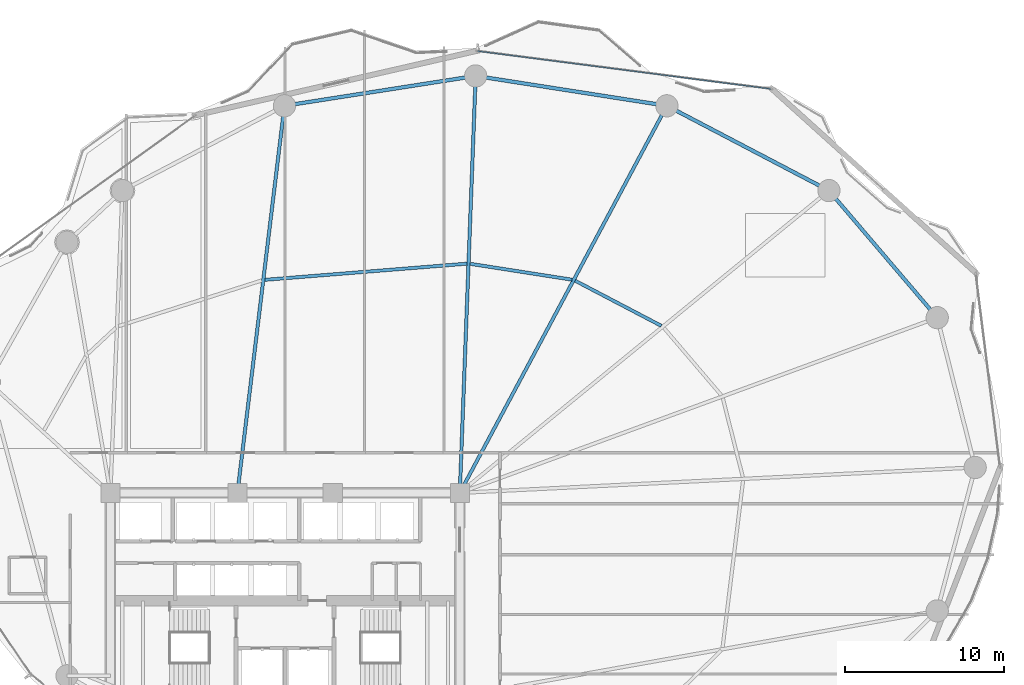
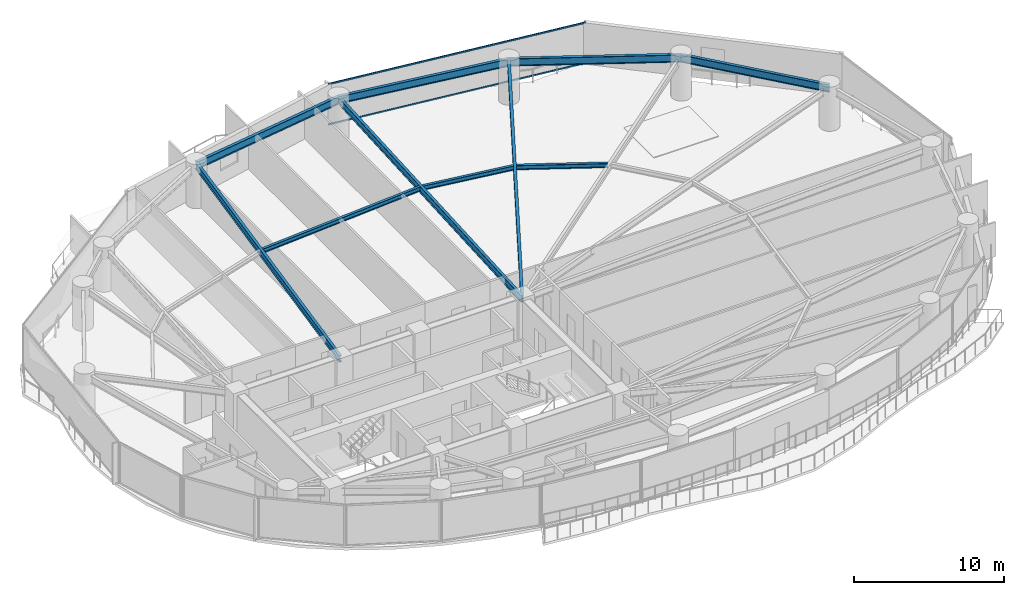
# One storey, part 20 of 30: 10 beams, 2 members, 1 element without a shape of its own.
"""IFC4 building model written with IfcOpenShell, lengths in metres."""

from ifc_helpers import new_model, si_unit, direction, frame, origin, origin_2d, place, context, subcontext, project, spatial, hollow_rectangle, i_section, extrude, material, layer, layer_set, material_profile, profile_set, type_object, element, aggregate, save


model = new_model("IFC4")

# Units and contexts
model_context = context("Model", 3, precision=1e-05, world=origin(), true_north=direction((0.0, 1.0)))
body_context = subcontext(model_context, "Body", "Model", "MODEL_VIEW")
ifc_project = project(units=[si_unit("LENGTHUNIT", "METRE"), si_unit("AREAUNIT", "SQUARE_METRE"), si_unit("VOLUMEUNIT", "CUBIC_METRE"), si_unit("PLANEANGLEUNIT", "RADIAN"), si_unit("MASSUNIT", "GRAM", prefix="KILO")], contexts=[model_context])

# Site, building, storey
site_placement = place(None, origin())
site = spatial("IfcSite", under=ifc_project, at=site_placement, CompositionType="ELEMENT")
building_placement = place(site_placement, origin())
building = spatial("IfcBuilding", under=site, at=building_placement, Name="Kazevale Care Tower and Concert Hall", CompositionType="ELEMENT")
storey_placement = place(building_placement, frame((0.0, 0.0, 70.800048828125)))
storey = spatial("IfcBuildingStorey", under=building, at=storey_placement, Name="L18", CompositionType="ELEMENT", Elevation=70.800048828125)

# Curtain wall, members
ifc_material_1 = material(Name="Aluminium 6063-T6 and Low-E Glass", Category="aluminium")
ifc_layer = layer(ifc_material_1, 0.179931640625)
ifc_layer_set = layer_set([ifc_layer], Name="Aluminium 6063-T6 and Low-E Glass")
curtain_wall_type = type_object("IfcCurtainWallType", Name="Convex Recessed Sunroom Curtain Wall CW-3", PredefinedType="NOTDEFINED", material=ifc_layer_set)
curtain_wall_placement = place(storey_placement, origin())
curtain_wall = element("IfcCurtainWall", 1, at=curtain_wall_placement, inside=storey, type_object=curtain_wall_type, Name="cw:L18:f16", PredefinedType="NOTDEFINED")
ifc_material_2 = material(Name="Aluminium 6063-T6", Category="aluminium")
ifc_material_profile_1 = material_profile(ifc_material_2, hollow_rectangle(XDim=0.074951171875, YDim=0.1201171875, WallThickness=0.00390625, at=origin_2d()), Name="ALU75x120x4")
ifc_profile_set_1 = profile_set([ifc_material_profile_1], Name="Aluminium 6063-T6")
member_type = type_object("IfcMemberType", Name="CW-3 Transom ALU75x120x4", PredefinedType="USERDEFINED", material=ifc_profile_set_1)
member_1_placement = place(storey_placement, frame((45.116455078125, 64.21240234375, 0.037353515625), z_axis=(0.991790531379, -0.12787314756, 0.0), x_axis=(0.12787314756, 0.991790531379, 0.0)))
member_1 = element("IfcMember", 2, at=member_1_placement, type_object=member_type, Name="CW-3 transom 1.1", ObjectType="TRANSOM", PredefinedType="USERDEFINED", context=body_context, shape_type="SweptSolid", body=[
    extrude(hollow_rectangle(XDim=0.074951171875, YDim=0.1201171875, WallThickness=0.00390625, at=origin_2d()), origin(), (0.0, 0.0, 1.0), 18.618896484375),
])
member_2_placement = place(storey_placement, frame((45.116455078125, 64.21240234375, 3.322509765625), z_axis=(0.991790531379, -0.12787314756, 0.0), x_axis=(0.12787314756, 0.991790531379, 0.0)))
member_2 = element("IfcMember", 3, at=member_2_placement, type_object=member_type, Name="CW-3 transom 1.2", ObjectType="TRANSOM", PredefinedType="USERDEFINED", context=body_context, shape_type="SweptSolid", body=[
    extrude(hollow_rectangle(XDim=0.074951171875, YDim=0.1201171875, WallThickness=0.00390625, at=origin_2d()), origin(), (0.0, 0.0, 1.0), 18.618896484375),
])
aggregate(curtain_wall, [member_1, member_2])

# Beams
ifc_material_3 = material(Name="Steel ASTM A572 Gr 50", Category="steel")
ifc_material_profile_2 = material_profile(ifc_material_3, i_section(OverallWidth=0.2119140625, OverallDepth=0.5439453125, WebThickness=0.01318359375, FlangeThickness=0.021240234375, at=origin_2d()), Name="W530x123")
ifc_profile_set_2 = profile_set([ifc_material_profile_2], Name="Steel ASTM A572 Gr 50")
beam_type_1 = type_object("IfcBeamType", Name="Radial Floor Girder W530x123", PredefinedType="BEAM", material=ifc_profile_set_2)
beam_1_placement = place(storey_placement, frame((44.0, 36.39990234375, 3.087890625), z_axis=(0.471788966953, 0.88171150081, 0.0), x_axis=(-0.88171150081, 0.471788966953, 0.0)))
element("IfcBeam", 4, at=beam_1_placement, inside=storey, type_object=beam_type_1, Name="beam:L18:rad:04", PredefinedType="BEAM", context=body_context, shape_type="SweptSolid", body=[
    extrude(i_section(OverallWidth=0.2119140625, OverallDepth=0.5439453125, WebThickness=0.01318359375, FlangeThickness=0.021240234375, at=origin_2d()), origin(), (0.0, 0.0, 1.0), 27.6396484375),
])
beam_2_placement = place(storey_placement, frame((44.0, 36.39990234375, 3.087890625), z_axis=(0.038067625343, 0.999275165258, 0.0), x_axis=(-0.999275165258, 0.038067625343, 0.0)))
element("IfcBeam", 5, at=beam_2_placement, inside=storey, type_object=beam_type_1, Name="beam:L18:rad:05", PredefinedType="BEAM", context=body_context, shape_type="SweptSolid", body=[
    extrude(i_section(OverallWidth=0.2119140625, OverallDepth=0.5439453125, WebThickness=0.01318359375, FlangeThickness=0.021240234375, at=origin_2d()), origin(), (0.0, 0.0, 1.0), 26.26904296875),
])
beam_3_placement = place(storey_placement, frame((30.0, 36.39990234375, 3.087890625), z_axis=(0.120572526662, 0.9927045209, 0.0), x_axis=(-0.9927045209, 0.120572526662, 0.0)))
element("IfcBeam", 6, at=beam_3_placement, inside=storey, type_object=beam_type_1, Name="beam:L18:rad:06", PredefinedType="BEAM", context=body_context, shape_type="SweptSolid", body=[
    extrude(i_section(OverallWidth=0.2119140625, OverallDepth=0.5439453125, WebThickness=0.01318359375, FlangeThickness=0.021240234375, at=origin_2d()), origin(), (0.0, 0.0, 1.0), 24.54931640625),
])
ifc_material_profile_3 = material_profile(ifc_material_3, i_section(OverallWidth=0.22900390625, OverallDepth=0.612060546875, WebThickness=0.011962890625, FlangeThickness=0.01953125, at=origin_2d()), Name="W610x125")
ifc_profile_set_3 = profile_set([ifc_material_profile_3], Name="Steel ASTM A572 Gr 50")
beam_type_2 = type_object("IfcBeamType", Name="Ring Spandrel Beam W610x125", PredefinedType="SPANDREL", material=ifc_profile_set_3)
beam_4_placement = place(storey_placement, frame((74.06005859375, 47.429931640625, 3.053955078125), z_axis=(-0.648756004283, 0.760996482848, 0.0), x_axis=(-0.760996482848, -0.648756004283, 0.0)))
element("IfcBeam", 7, at=beam_4_placement, inside=storey, type_object=beam_type_2, Name="beam:L18:ring:02", PredefinedType="SPANDREL", context=body_context, shape_type="SweptSolid", body=[
    extrude(i_section(OverallWidth=0.22900390625, OverallDepth=0.612060546875, WebThickness=0.011962890625, FlangeThickness=0.01953125, at=origin_2d()), origin(), (0.0, 0.0, 1.0), 10.512451171875),
])
beam_5_placement = place(storey_placement, frame((67.239990234375, 55.429931640625, 3.053955078125), z_axis=(-0.885929466679, 0.463819986708, 0.0), x_axis=(-0.463819986708, -0.885929466679, 0.0)))
element("IfcBeam", 8, at=beam_5_placement, inside=storey, type_object=beam_type_2, Name="beam:L18:ring:03", PredefinedType="SPANDREL", context=body_context, shape_type="SweptSolid", body=[
    extrude(i_section(OverallWidth=0.22900390625, OverallDepth=0.612060546875, WebThickness=0.011962890625, FlangeThickness=0.01953125, at=origin_2d()), origin(), (0.0, 0.0, 1.0), 11.51318359375),
])
for number, where, z_axis, x_axis, name in (
    (9, (57.0400390625, 60.77001953125, 3.053955078125), (-0.988029216561, 0.154266870134, 0.0), (-0.154266870134, -0.988029216561, 0.0), "beam:L18:ring:04"),
    (10, (45.0, 62.64990234375, 3.053955078125), (-0.988029216561, -0.154266870134, 0.0), (0.154266870134, -0.988029216561, 0.0), "beam:L18:ring:05"),
):
    element("IfcBeam", number, at=place(storey_placement, frame(where, z_axis=z_axis, x_axis=x_axis)), inside=storey, type_object=beam_type_2, Name=name, PredefinedType="SPANDREL", context=body_context, shape_type="SweptSolid", body=[
        extrude(i_section(OverallWidth=0.22900390625, OverallDepth=0.612060546875, WebThickness=0.011962890625, FlangeThickness=0.01953125, at=origin_2d()), origin(), (0.0, 0.0, 1.0), 12.18603515625),
    ])
ifc_material_profile_4 = material_profile(ifc_material_3, i_section(OverallWidth=0.205078125, OverallDepth=0.35400390625, WebThickness=0.009521484375, FlangeThickness=0.016845703125, at=origin_2d()), Name="W360x79")
ifc_profile_set_4 = profile_set([ifc_material_profile_4], Name="Steel ASTM A572 Gr 50")
beam_type_3 = type_object("IfcBeamType", Name="Secondary Floor Joist W360x79", PredefinedType="JOIST", material=ifc_profile_set_4)
beam_6_placement = place(storey_placement, frame((56.68896484375, 46.9150390625, 3.182861328125), z_axis=(-0.885921274797, 0.463835633454, 0.0), x_axis=(-0.463835633454, -0.885921274797, 0.0)))
element("IfcBeam", 11, at=beam_6_placement, inside=storey, type_object=beam_type_3, Name="beam:L18:joist:03", PredefinedType="JOIST", context=body_context, shape_type="SweptSolid", body=[
    extrude(i_section(OverallWidth=0.205078125, OverallDepth=0.35400390625, WebThickness=0.009521484375, FlangeThickness=0.016845703125, at=origin_2d()), origin(), (0.0, 0.0, 1.0), 6.12255859375),
])
beam_7_placement = place(storey_placement, frame((51.068115234375, 49.820068359375, 3.182861328125), z_axis=(-0.988040697826, 0.154193318403, 0.0), x_axis=(-0.154193318403, -0.988040697826, 0.0)))
element("IfcBeam", 12, at=beam_7_placement, inside=storey, type_object=beam_type_3, Name="beam:L18:joist:04", PredefinedType="JOIST", context=body_context, shape_type="SweptSolid", body=[
    extrude(i_section(OverallWidth=0.205078125, OverallDepth=0.35400390625, WebThickness=0.009521484375, FlangeThickness=0.016845703125, at=origin_2d()), origin(), (0.0, 0.0, 1.0), 6.49169921875),
])
beam_8_placement = place(storey_placement, frame((44.445068359375, 50.8291015625, 3.182861328125), z_axis=(-0.996814548036, -0.079754353015, 0.0), x_axis=(0.079754353015, -0.996814548036, 0.0)))
element("IfcBeam", 13, at=beam_8_placement, inside=storey, type_object=beam_type_3, Name="beam:L18:joist:05", PredefinedType="JOIST", context=body_context, shape_type="SweptSolid", body=[
    extrude(i_section(OverallWidth=0.205078125, OverallDepth=0.35400390625, WebThickness=0.009521484375, FlangeThickness=0.016845703125, at=origin_2d()), origin(), (0.0, 0.0, 1.0), 12.752685546875),
])

save(model, "model.ifc")
